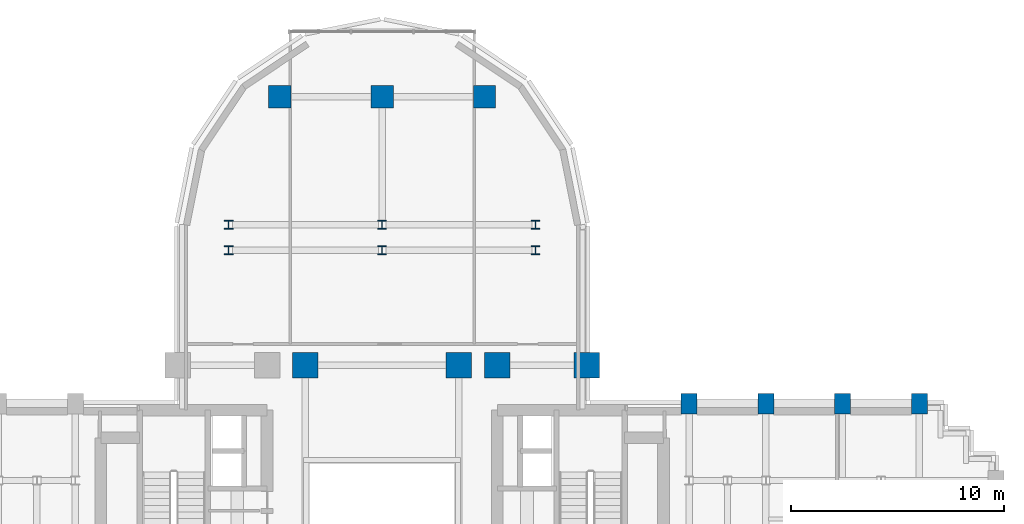
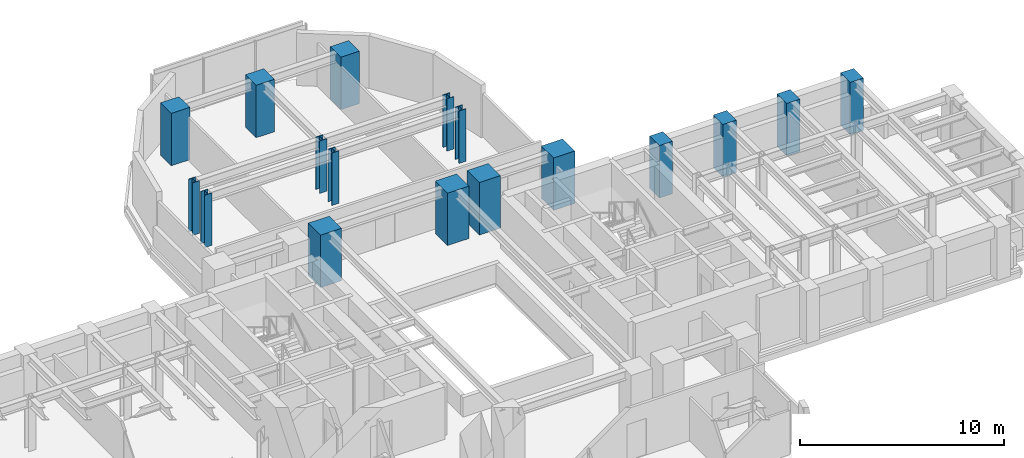
# One storey, part 2 of 16: 17 columns.
"""IFC4 building model written with IfcOpenShell, lengths in metres."""

from ifc_helpers import new_model, si_unit, direction, frame, origin, origin_2d, place, context, subcontext, project, spatial, rectangle, i_section, extrude, source, transform, mapped, material, material_profile, profile_set, type_object, element, save


model = new_model("IFC4")

# Units and contexts
model_context = context("Model", 3, precision=1e-05, world=origin(), true_north=direction((0.0, 1.0)))
body_context = subcontext(model_context, "Body", "Model", "MODEL_VIEW")
ifc_project = project(units=[si_unit("LENGTHUNIT", "METRE"), si_unit("AREAUNIT", "SQUARE_METRE"), si_unit("VOLUMEUNIT", "CUBIC_METRE"), si_unit("PLANEANGLEUNIT", "RADIAN"), si_unit("MASSUNIT", "GRAM", prefix="KILO")], contexts=[model_context])

# Site, building, storey
site_placement = place(None, origin())
site = spatial("IfcSite", under=ifc_project, at=site_placement, CompositionType="ELEMENT")
building_placement = place(site_placement, origin())
building = spatial("IfcBuilding", under=site, at=building_placement, Name="Keilestroom Media Tower", CompositionType="ELEMENT")
storey_placement = place(building_placement, frame((0.0, 0.0, 85.0)))
storey = spatial("IfcBuildingStorey", under=building, at=storey_placement, Name="L22", CompositionType="ELEMENT", Elevation=85.0)

# Columns
ifc_material_1 = material(Name="Precast concrete C40/50", Category="concrete")
ifc_material_profile_1 = material_profile(ifc_material_1, rectangle(XDim=0.75, YDim=0.949951171875, at=origin_2d()), Name="PC 950x750")
ifc_profile_set_1 = profile_set([ifc_material_profile_1], Name="Precast concrete C40/50")
column_type_1 = type_object("IfcColumnType", Name="Structural-Column-PC-950x750", PredefinedType="COLUMN", material=ifc_profile_set_1)
shared_shape_1 = source(origin(), body_context, "Body", "SweptSolid", [
    extrude(rectangle(XDim=0.75, YDim=0.949951171875, at=origin_2d()), origin(), (0.0, 0.0, 1.0), 3.139892578125),
])
for number, where, z_axis, x_axis, name in (
    (1, (14.39990234375, 7.199951171875, 0.0), (0.0, 0.0, 1.0), (1.0, 0.0, 0.0), "L22 Column PC-1 (+14.4,+7.2)"),
    (2, (18.0, 7.199951171875, 0.0), (0.0, 0.0, 1.0), (1.0, 0.0, 0.0), "L22 Column PC-1 (+18.0,+7.2)"),
    (3, (21.60009765625, 7.199951171875, 0.0), (0.0, 0.0, 1.0), (1.0, 0.0, 0.0), "L22 Column PC-1 (+21.6,+7.2)"),
    (4, (25.199951171875, 7.199951171875, 0.0), (0.0, 0.0, 1.0), (1.0, 0.0, 0.0), "L22 Column PC-1 (+25.2,+7.2)"),
):
    element("IfcColumn", number, at=place(storey_placement, frame(where, z_axis=z_axis, x_axis=x_axis)), inside=storey, type_object=column_type_1, Name=name, PredefinedType="COLUMN", context=body_context, shape_type="MappedRepresentation", body=[
        mapped(shared_shape_1, transform((0.0, 0.0, 0.0), x_axis=(1.0, 0.0, 0.0), y_axis=(0.0, 1.0, 0.0), z_axis=(0.0, 0.0, 1.0), scale=1.0)),
    ])
ifc_material_2 = material(Name="Steel S460", Category="steel")
ifc_material_profile_2 = material_profile(ifc_material_2, i_section(OverallWidth=0.404052734375, OverallDepth=0.406982421875, WebThickness=0.02197265625, FlangeThickness=0.035400390625, at=origin_2d()), Name="HD 400x347")
ifc_profile_set_2 = profile_set([ifc_material_profile_2], Name="Steel S460")
column_type_2 = type_object("IfcColumnType", Name="Structural-Column-HD-400x347", PredefinedType="COLUMN", material=ifc_profile_set_2)
shared_shape_2 = source(origin(), body_context, "Body", "SweptSolid", [
    extrude(i_section(OverallWidth=0.404052734375, OverallDepth=0.406982421875, WebThickness=0.02197265625, FlangeThickness=0.035400390625, at=origin_2d()), origin(), (0.0, 0.0, 1.0), 3.139892578125),
])
for number, where, z_axis, x_axis, name in (
    (5, (-7.199951171875, 14.39990234375, 0.0), (0.0, 0.0, 1.0), (1.0, 0.0, 0.0), "L22 Column SC-2 (-7.2,+14.4)"),
    (6, (-7.199951171875, 15.60009765625, 0.0), (0.0, 0.0, 1.0), (1.0, 0.0, 0.0), "L22 Column SC-2 (-7.2,+15.6)"),
    (7, (0.0, 14.39990234375, 0.0), (0.0, 0.0, 1.0), (1.0, 0.0, 0.0), "L22 Column SC-2 (+0.0,+14.4)"),
    (8, (0.0, 15.60009765625, 0.0), (0.0, 0.0, 1.0), (1.0, 0.0, 0.0), "L22 Column SC-2 (+0.0,+15.6)"),
    (9, (7.199951171875, 14.39990234375, 0.0), (0.0, 0.0, 1.0), (1.0, 0.0, 0.0), "L22 Column SC-2 (+7.2,+14.4)"),
    (10, (7.199951171875, 15.60009765625, 0.0), (0.0, 0.0, 1.0), (1.0, 0.0, 0.0), "L22 Column SC-2 (+7.2,+15.6)"),
):
    element("IfcColumn", number, at=place(storey_placement, frame(where, z_axis=z_axis, x_axis=x_axis)), inside=storey, type_object=column_type_2, Name=name, PredefinedType="COLUMN", context=body_context, shape_type="MappedRepresentation", body=[
        mapped(shared_shape_2, transform((0.0, 0.0, 0.0), x_axis=(1.0, 0.0, 0.0), y_axis=(0.0, 1.0, 0.0), z_axis=(0.0, 0.0, 1.0), scale=1.0)),
    ])
ifc_material_3 = material(Name="Concrete C70/85", Category="concrete")
ifc_material_profile_3 = material_profile(ifc_material_3, rectangle(XDim=1.199951171875, YDim=1.199951171875, at=origin_2d()), Name="RC 1200x1200")
ifc_profile_set_3 = profile_set([ifc_material_profile_3], Name="Concrete C70/85")
column_type_3 = type_object("IfcColumnType", Name="Structural-Column-RC-1200x1200", PredefinedType="COLUMN", material=ifc_profile_set_3)
shared_shape_3 = source(origin(), body_context, "Body", "SweptSolid", [
    extrude(rectangle(XDim=1.199951171875, YDim=1.199951171875, at=origin_2d()), origin(), (0.0, 0.0, 1.0), 3.139892578125),
])
for number, where, z_axis, x_axis, name in (
    (11, (-3.60009765625, 9.0, 0.0), (0.0, 0.0, 1.0), (1.0, 0.0, 0.0), "L22 Column MC-2 (-3.6,+9.0)"),
    (12, (3.60009765625, 9.0, 0.0), (0.0, 0.0, 1.0), (1.0, 0.0, 0.0), "L22 Column MC-2 (+3.6,+9.0)"),
    (13, (5.39990234375, 9.0, 0.0), (0.0, 0.0, 1.0), (1.0, 0.0, 0.0), "L22 Column MC-2 (+5.4,+9.0)"),
    (14, (9.60009765625, 9.0, 0.0), (0.0, 0.0, 1.0), (1.0, 0.0, 0.0), "L22 Column MC-2 (+9.6,+9.0)"),
):
    element("IfcColumn", number, at=place(storey_placement, frame(where, z_axis=z_axis, x_axis=x_axis)), inside=storey, type_object=column_type_3, Name=name, PredefinedType="COLUMN", context=body_context, shape_type="MappedRepresentation", body=[
        mapped(shared_shape_3, transform((0.0, 0.0, 0.0), x_axis=(1.0, 0.0, 0.0), y_axis=(0.0, 1.0, 0.0), z_axis=(0.0, 0.0, 1.0), scale=1.0)),
    ])
ifc_material_4 = material(Name="Concrete C55/67", Category="concrete")
ifc_material_profile_4 = material_profile(ifc_material_4, rectangle(XDim=1.050048828125, YDim=1.050048828125, at=origin_2d()), Name="RC 1050x1050")
ifc_profile_set_4 = profile_set([ifc_material_profile_4], Name="Concrete C55/67")
column_type_4 = type_object("IfcColumnType", Name="Structural-Column-RC-1050x1050", PredefinedType="COLUMN", material=ifc_profile_set_4)
shared_shape_4 = source(origin(), body_context, "Body", "SweptSolid", [
    extrude(rectangle(XDim=1.050048828125, YDim=1.050048828125, at=origin_2d()), origin(), (0.0, 0.0, 1.0), 3.139892578125),
])
for number, where, z_axis, x_axis, name in (
    (15, (-4.800048828125, 21.60009765625, 0.0), (0.0, 0.0, 1.0), (1.0, 0.0, 0.0), "L22 Column MC-3 (-4.8,+21.6)"),
    (16, (0.0, 21.60009765625, 0.0), (0.0, 0.0, 1.0), (1.0, 0.0, 0.0), "L22 Column MC-3 (+0.0,+21.6)"),
    (17, (4.800048828125, 21.60009765625, 0.0), (0.0, 0.0, 1.0), (1.0, 0.0, 0.0), "L22 Column MC-3 (+4.8,+21.6)"),
):
    element("IfcColumn", number, at=place(storey_placement, frame(where, z_axis=z_axis, x_axis=x_axis)), inside=storey, type_object=column_type_4, Name=name, PredefinedType="COLUMN", context=body_context, shape_type="MappedRepresentation", body=[
        mapped(shared_shape_4, transform((0.0, 0.0, 0.0), x_axis=(1.0, 0.0, 0.0), y_axis=(0.0, 1.0, 0.0), z_axis=(0.0, 0.0, 1.0), scale=1.0)),
    ])

save(model, "model.ifc")
